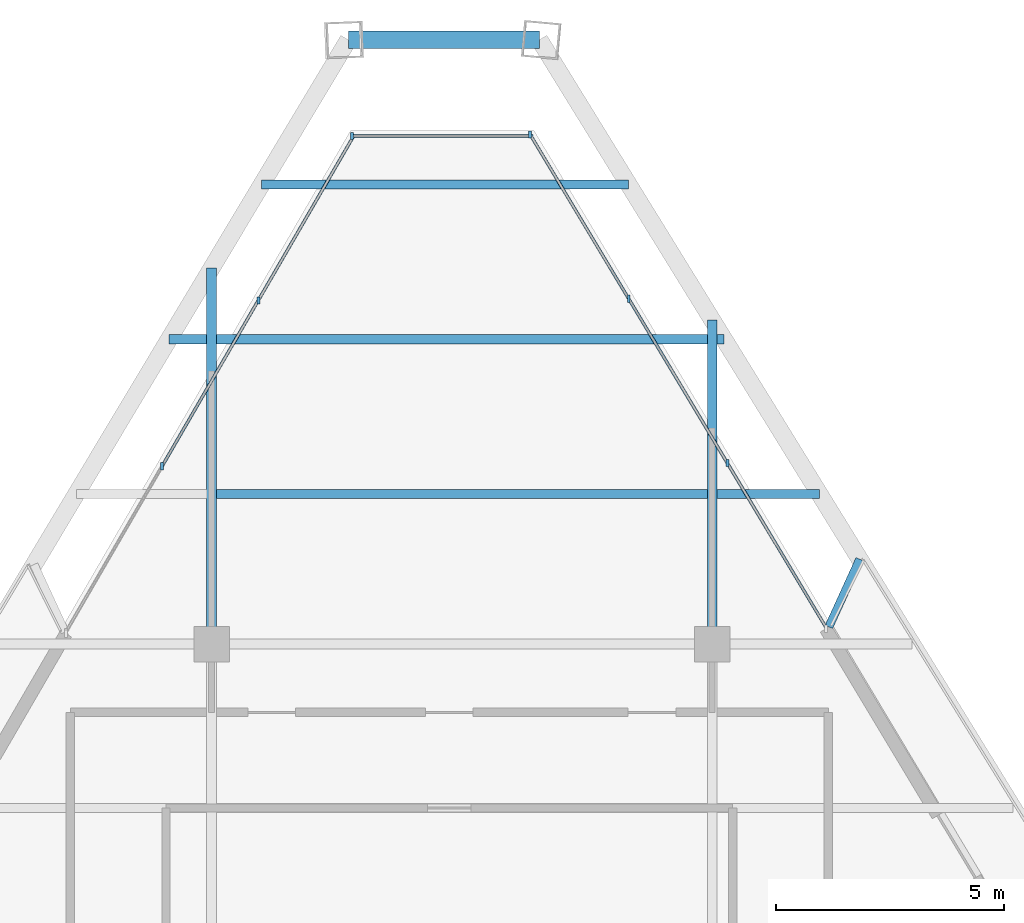
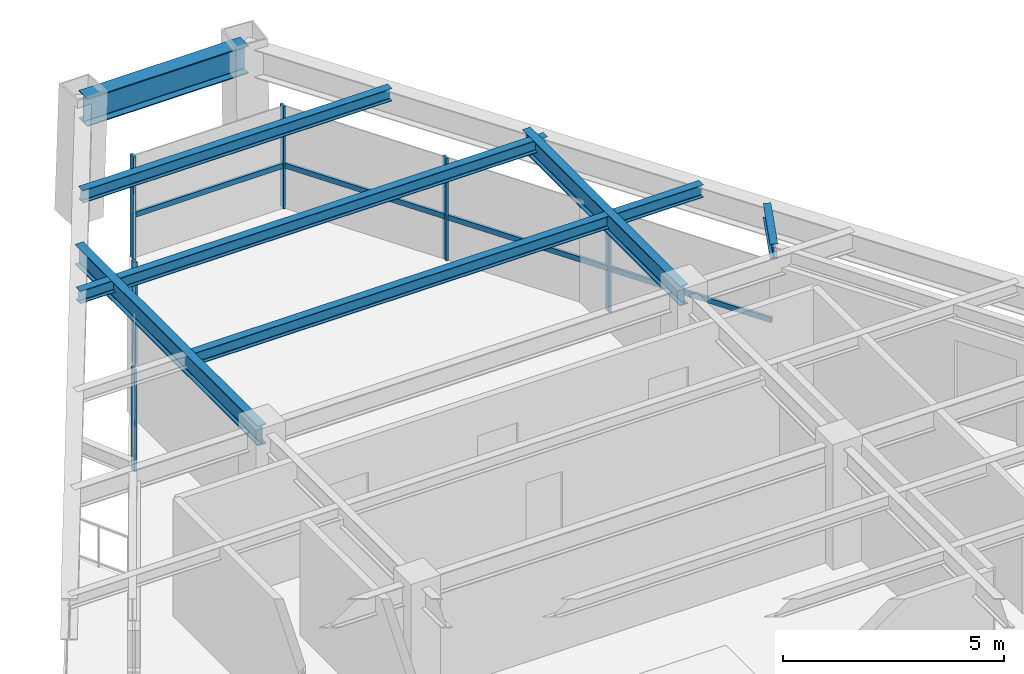
# One storey, part 7 of 13: 12 members, 8 beams, 3 elements without a shape of their own.
"""IFC4 building model written with IfcOpenShell, lengths in metres."""

from ifc_helpers import new_model, si_unit, direction, frame, origin, origin_2d, place, context, subcontext, project, spatial, rectangle, i_section, extrude, source, transform, mapped, material, material_profile, profile_set, type_object, element, aggregate, save


model = new_model("IFC4")

# Units and contexts
model_context = context("Model", 3, precision=1e-05, world=origin(), true_north=direction((0.0, 1.0)))
body_context = subcontext(model_context, "Body", "Model", "MODEL_VIEW")
ifc_project = project(units=[si_unit("LENGTHUNIT", "METRE"), si_unit("AREAUNIT", "SQUARE_METRE"), si_unit("VOLUMEUNIT", "CUBIC_METRE"), si_unit("PLANEANGLEUNIT", "RADIAN"), si_unit("MASSUNIT", "GRAM", prefix="KILO")], contexts=[model_context])

# Site, building, storey
site_placement = place(None, origin())
site = spatial("IfcSite", under=ifc_project, at=site_placement, CompositionType="ELEMENT")
building_placement = place(site_placement, origin())
building = spatial("IfcBuilding", under=site, at=building_placement, Name="Varnakhor Terracotta Tower", CompositionType="ELEMENT")
storey_placement = place(building_placement, frame((0.0, 0.0, 266.10009765625)))
storey = spatial("IfcBuildingStorey", under=building, at=storey_placement, Name="L69", CompositionType="ELEMENT", Elevation=266.10009765625)

# Beams
ifc_material_1 = material(Name="Steel S355", Category="steel")
ifc_material_profile_1 = material_profile(ifc_material_1, i_section(OverallWidth=0.202880859375, OverallDepth=0.346923828125, WebThickness=0.0078125, FlangeThickness=0.013427734375, FilletRadius=0.01806640625, at=origin_2d()), Name="W14X43")
ifc_profile_set_1 = profile_set([ifc_material_profile_1], Name="Steel S355")
beam_type_1 = type_object("IfcBeamType", Name="JST-W14X43", PredefinedType="JOIST", material=ifc_profile_set_1)
shared_shape_1 = source(origin(), body_context, "Body", "SweptSolid", [
    extrude(i_section(OverallWidth=0.202880859375, OverallDepth=0.346923828125, WebThickness=0.0078125, FlangeThickness=0.013427734375, FilletRadius=0.01806640625, at=origin_2d()), origin(), (0.0, 0.0, 1.0), 10.7939453125),
])
beam_1_placement = place(storey_placement, frame((-5.39697265625, 34.800048828125, 3.06640625), z_axis=(1.0, 0.0, 0.0), x_axis=(0.0, 1.0, 0.0)))
element("IfcBeam", 1, at=beam_1_placement, inside=storey, type_object=beam_type_1, Name="L69 Composite Floor Joist 7-2", PredefinedType="JOIST", context=body_context, shape_type="MappedRepresentation", body=[
    mapped(shared_shape_1, transform((0.0, 0.0, 0.0), scale=1.0)),
])
ifc_material_profile_2 = material_profile(ifc_material_1, i_section(OverallWidth=0.381103515625, OverallDepth=0.77294921875, WebThickness=0.01708984375, FlangeThickness=0.027099609375, FilletRadius=0.01806640625, at=origin_2d()), Name="W30X173")
ifc_profile_set_2 = profile_set([ifc_material_profile_2], Name="Steel S355")
beam_type_2 = type_object("IfcBeamType", Name="BM-W30X173", PredefinedType="BEAM", material=ifc_profile_set_2)
shared_shape_2 = source(origin(), body_context, "Body", "SweptSolid", [
    extrude(i_section(OverallWidth=0.381103515625, OverallDepth=0.77294921875, WebThickness=0.01708984375, FlangeThickness=0.027099609375, FilletRadius=0.01806640625, at=origin_2d()), origin(), (0.0, 0.0, 1.0), 4.197998046875),
])
beam_2_placement = place(storey_placement, frame((1.70361328125, 44.776611328125, 2.853515625), z_axis=(-1.0, 0.0, 0.0), x_axis=(0.0, -1.0, 0.0)))
element("IfcBeam", 2, at=beam_2_placement, inside=storey, type_object=beam_type_2, Name="L69 Perimeter Spandrel 5", PredefinedType="BEAM", context=body_context, shape_type="MappedRepresentation", body=[
    mapped(shared_shape_2, transform((0.0, 0.0, 0.0), scale=1.0)),
])
ifc_material_profile_3 = material_profile(ifc_material_1, i_section(OverallWidth=0.214111328125, OverallDepth=0.549072265625, WebThickness=0.014892578125, FlangeThickness=0.02392578125, FilletRadius=0.01806640625, at=origin_2d()), Name="W21X93")
ifc_profile_set_3 = profile_set([ifc_material_profile_3], Name="Steel S355")
beam_type_3 = type_object("IfcBeamType", Name="BM-W21X93", PredefinedType="BEAM", material=ifc_profile_set_3)
shared_shape_3 = source(origin(), body_context, "Body", "SweptSolid", [
    extrude(i_section(OverallWidth=0.214111328125, OverallDepth=0.549072265625, WebThickness=0.014892578125, FlangeThickness=0.02392578125, FilletRadius=0.01806640625, at=origin_2d()), origin(), (0.0, 0.0, 1.0), 8.259033203125),
])
beam_3_placement = place(storey_placement, frame((-5.5, 31.5, 2.96533203125), z_axis=(0.0, 1.0, 0.0), x_axis=(-1.0, 0.0, 0.0)))
element("IfcBeam", 3, at=beam_3_placement, inside=storey, type_object=beam_type_3, Name="L69 Primary Girder NS3-W", PredefinedType="BEAM", context=body_context, shape_type="MappedRepresentation", body=[
    mapped(shared_shape_3, transform((0.0, 0.0, 0.0), scale=1.0)),
])
shared_shape_4 = source(origin(), body_context, "Body", "SweptSolid", [
    extrude(i_section(OverallWidth=0.214111328125, OverallDepth=0.549072265625, WebThickness=0.014892578125, FlangeThickness=0.02392578125, FilletRadius=0.01806640625, at=origin_2d()), origin(), (0.0, 0.0, 1.0), 7.12060546875),
])
beam_4_placement = place(storey_placement, frame((5.5, 31.5, 2.96533203125), z_axis=(0.0, 1.0, 0.0), x_axis=(-1.0, 0.0, 0.0)))
element("IfcBeam", 4, at=beam_4_placement, inside=storey, type_object=beam_type_3, Name="L69 Primary Girder NS3-E", PredefinedType="BEAM", context=body_context, shape_type="MappedRepresentation", body=[
    mapped(shared_shape_4, transform((0.0, 0.0, 0.0), scale=1.0)),
])
shared_shape_5 = source(origin(), body_context, "Body", "SweptSolid", [
    extrude(i_section(OverallWidth=0.202880859375, OverallDepth=0.346923828125, WebThickness=0.0078125, FlangeThickness=0.013427734375, FilletRadius=0.01806640625, at=origin_2d()), origin(), (0.0, 0.0, 1.0), 2.2529296875),
])
beam_5_placement = place(storey_placement, frame((5.60302734375, 34.800048828125, 3.06640625), z_axis=(1.0, 0.0, 0.0), x_axis=(0.0, 1.0, 0.0)))
element("IfcBeam", 5, at=beam_5_placement, inside=storey, type_object=beam_type_1, Name="L69 Composite Floor Joist 7-3", PredefinedType="JOIST", context=body_context, shape_type="MappedRepresentation", body=[
    mapped(shared_shape_5, transform((0.0, 0.0, 0.0), scale=1.0)),
])
shared_shape_6 = source(origin(), body_context, "Body", "SweptSolid", [
    extrude(i_section(OverallWidth=0.202880859375, OverallDepth=0.346923828125, WebThickness=0.0078125, FlangeThickness=0.013427734375, FilletRadius=0.01806640625, at=origin_2d()), origin(), (0.0, 0.0, 1.0), 12.193115234375),
])
beam_6_placement = place(storey_placement, frame((-6.433837890625, 38.199951171875, 3.06640625), z_axis=(1.0, 0.0, 0.0), x_axis=(0.0, 1.0, 0.0)))
element("IfcBeam", 6, at=beam_6_placement, inside=storey, type_object=beam_type_1, Name="L69 Composite Floor Joist 8-1", PredefinedType="JOIST", context=body_context, shape_type="MappedRepresentation", body=[
    mapped(shared_shape_6, transform((0.0, 0.0, 0.0), scale=1.0)),
])
shared_shape_7 = source(origin(), body_context, "Body", "SweptSolid", [
    extrude(i_section(OverallWidth=0.202880859375, OverallDepth=0.346923828125, WebThickness=0.0078125, FlangeThickness=0.013427734375, FilletRadius=0.01806640625, at=origin_2d()), origin(), (0.0, 0.0, 1.0), 8.059814453125),
])
beam_7_placement = place(storey_placement, frame((-4.397216796875, 41.60009765625, 3.06640625), z_axis=(1.0, 0.0, 0.0), x_axis=(0.0, 1.0, 0.0)))
element("IfcBeam", 7, at=beam_7_placement, inside=storey, type_object=beam_type_1, Name="L69 Composite Floor Joist 9-1", PredefinedType="JOIST", context=body_context, shape_type="MappedRepresentation", body=[
    mapped(shared_shape_7, transform((0.0, 0.0, 0.0), scale=1.0)),
])

# Curtain wall, members
ifc_material_2 = material(Name="Anodised Aluminium Curtain Wall System", Category="aluminium")
curtain_wall_type = type_object("IfcCurtainWallType", Name="CW-SYS-HOTEL-LOGGIA", PredefinedType="NOTDEFINED", material=ifc_material_2)
curtain_wall_1_placement = place(storey_placement, origin())
curtain_wall_1 = element("IfcCurtainWall", 8, at=curtain_wall_1_placement, inside=storey, type_object=curtain_wall_type, Name="L69 W Facet Curtain Wall 2", PredefinedType="NOTDEFINED")
ifc_material_3 = material(Name="Anodised Aluminium 6063-T6", Category="aluminium")
ifc_material_profile_4 = material_profile(ifc_material_3, rectangle(XDim=0.06494140625, YDim=0.159912109375, at=origin_2d()), Name="ALU MULLION 65x160")
ifc_profile_set_4 = profile_set([ifc_material_profile_4], Name="Anodised Aluminium 6063-T6")
member_type_1 = type_object("IfcMemberType", Name="CWM-04", PredefinedType="MULLION", material=ifc_profile_set_4)
shared_shape_8 = source(origin(), body_context, "Body", "SweptSolid", [
    extrude(rectangle(XDim=0.06494140625, YDim=0.159912109375, at=origin_2d()), origin(), (0.0, 0.0, 1.0), 2.81982421875),
])
member_1_placement = place(storey_placement, frame((-6.586669921875, 35.406982421875, 0.0), z_axis=(0.0, 0.0, 1.0), x_axis=(1.0, 0.0, 0.0)))
member_1 = element("IfcMember", 9, at=member_1_placement, type_object=member_type_1, Name="L69 W Facet Curtain Wall 2 Mullion 2", PredefinedType="MULLION", context=body_context, shape_type="MappedRepresentation", body=[
    mapped(shared_shape_8, transform((0.0, 0.0, 0.0), scale=1.0)),
])
member_2_placement = place(storey_placement, frame((-4.472412109375, 39.05078125, 0.0), z_axis=(0.0, 0.0, 1.0), x_axis=(1.0, 0.0, 0.0)))
member_2 = element("IfcMember", 10, at=member_2_placement, type_object=member_type_1, Name="L69 W Facet Curtain Wall 2 Mullion 3", PredefinedType="MULLION", context=body_context, shape_type="MappedRepresentation", body=[
    mapped(shared_shape_8, transform((0.0, 0.0, 0.0), scale=1.0)),
])

# Curtain wall, member
curtain_wall_2_placement = place(storey_placement, origin())
curtain_wall_2 = element("IfcCurtainWall", 11, at=curtain_wall_2_placement, inside=storey, type_object=curtain_wall_type, Name="L69 Facet Curtain Wall 2", PredefinedType="NOTDEFINED")
member_3_placement = place(storey_placement, frame((-2.4169921875, 42.6611328125, 0.0), z_axis=(0.0, 0.0, 1.0), x_axis=(1.0, 0.0, 0.0)))
member_3 = element("IfcMember", 12, at=member_3_placement, type_object=member_type_1, Name="L69 Facet Curtain Wall 2 Mullion 1", PredefinedType="MULLION", context=body_context, shape_type="MappedRepresentation", body=[
    mapped(shared_shape_8, transform((0.0, 0.0, 0.0), scale=1.0)),
])

# Curtain wall, members
curtain_wall_3_placement = place(storey_placement, origin())
curtain_wall_3 = element("IfcCurtainWall", 13, at=curtain_wall_3_placement, inside=storey, type_object=curtain_wall_type, Name="L69 E Facet Curtain Wall 1", PredefinedType="NOTDEFINED")
member_4_placement = place(storey_placement, frame((1.501220703125, 42.693603515625, 0.0), z_axis=(0.0, 0.0, 1.0), x_axis=(1.0, 0.0, 0.0)))
member_4 = element("IfcMember", 14, at=member_4_placement, type_object=member_type_1, Name="L69 E Facet Curtain Wall 1 Mullion 1", PredefinedType="MULLION", context=body_context, shape_type="MappedRepresentation", body=[
    mapped(shared_shape_8, transform((0.0, 0.0, 0.0), scale=1.0)),
])
member_5_placement = place(storey_placement, frame((3.66650390625, 39.08642578125, 0.0), z_axis=(0.0, 0.0, 1.0), x_axis=(1.0, 0.0, 0.0)))
member_5 = element("IfcMember", 15, at=member_5_placement, type_object=member_type_1, Name="L69 E Facet Curtain Wall 1 Mullion 2", PredefinedType="MULLION", context=body_context, shape_type="MappedRepresentation", body=[
    mapped(shared_shape_8, transform((0.0, 0.0, 0.0), scale=1.0)),
])
member_6_placement = place(storey_placement, frame((5.83154296875, 35.479248046875, 0.0), z_axis=(0.0, 0.0, 1.0), x_axis=(1.0, 0.0, 0.0)))
member_6 = element("IfcMember", 16, at=member_6_placement, type_object=member_type_1, Name="L69 E Facet Curtain Wall 1 Mullion 3", PredefinedType="MULLION", context=body_context, shape_type="MappedRepresentation", body=[
    mapped(shared_shape_8, transform((0.0, 0.0, 0.0), scale=1.0)),
])

# Member
ifc_material_profile_5 = material_profile(ifc_material_3, rectangle(XDim=0.06494140625, YDim=0.14501953125, at=origin_2d()), Name="ALU TRANSOM 65x145")
ifc_profile_set_5 = profile_set([ifc_material_profile_5], Name="Anodised Aluminium 6063-T6")
member_type_2 = type_object("IfcMemberType", Name="CWT-04", PredefinedType="USERDEFINED", material=ifc_profile_set_5)
shared_shape_9 = source(origin(), body_context, "Body", "SweptSolid", [
    extrude(rectangle(XDim=0.06494140625, YDim=0.14501953125, at=origin_2d()), origin(), (0.0, 0.0, 1.0), 4.213134765625),
])
member_7_placement = place(storey_placement, frame((-4.472412109375, 39.05078125, 1.184326171875), z_axis=(0.501776193257, 0.864997486632, 0.0), x_axis=(-0.864997486632, 0.501776193257, 0.0)))
member_7 = element("IfcMember", 17, at=member_7_placement, type_object=member_type_2, Name="L69 W Facet Curtain Wall 2 Transom 3", ObjectType="TRANSOM", PredefinedType="USERDEFINED", context=body_context, shape_type="MappedRepresentation", body=[
    mapped(shared_shape_9, transform((0.0, 0.0, 0.0), scale=1.0)),
])

shared_shape_10 = source(origin(), body_context, "Body", "SweptSolid", [
    extrude(rectangle(XDim=0.06494140625, YDim=0.14501953125, at=origin_2d()), origin(), (0.0, 0.0, 1.0), 4.212646484375),
])
member_8_placement = place(storey_placement, frame((-6.586669921875, 35.406982421875, 1.184326171875), z_axis=(0.501869858642, 0.864943145523, 0.0), x_axis=(-0.864943145523, 0.501869858642, 0.0)))
member_8 = element("IfcMember", 18, at=member_8_placement, type_object=member_type_2, Name="L69 W Facet Curtain Wall 2 Transom 2", ObjectType="TRANSOM", PredefinedType="USERDEFINED", context=body_context, shape_type="MappedRepresentation", body=[
    mapped(shared_shape_10, transform((0.0, 0.0, 0.0), scale=1.0)),
])

aggregate(curtain_wall_1, [member_1, member_8, member_2, member_7])

shared_shape_11 = source(origin(), body_context, "Body", "SweptSolid", [
    extrude(rectangle(XDim=0.06494140625, YDim=0.14501953125, at=origin_2d()), origin(), (0.0, 0.0, 1.0), 3.9755859375),
])
member_9_placement = place(storey_placement, frame((-2.4169921875, 42.6611328125, 1.184326171875), z_axis=(1.0, 0.0, 0.0), x_axis=(0.0, 1.0, 0.0)))
member_9 = element("IfcMember", 19, at=member_9_placement, type_object=member_type_2, Name="L69 Facet Curtain Wall 2 Transom 1", ObjectType="TRANSOM", PredefinedType="USERDEFINED", context=body_context, shape_type="MappedRepresentation", body=[
    mapped(shared_shape_11, transform((0.0, 0.0, 0.0), scale=1.0)),
])

aggregate(curtain_wall_2, [member_3, member_9])

shared_shape_12 = source(origin(), body_context, "Body", "SweptSolid", [
    extrude(rectangle(XDim=0.06494140625, YDim=0.14501953125, at=origin_2d()), origin(), (0.0, 0.0, 1.0), 4.207275390625),
])
member_10_placement = place(storey_placement, frame((1.501220703125, 42.693603515625, 1.184326171875), z_axis=(0.51466642116, -0.857390503173, 0.0), x_axis=(0.857390503173, 0.51466642116, 0.0)))
member_10 = element("IfcMember", 20, at=member_10_placement, type_object=member_type_2, Name="L69 E Facet Curtain Wall 1 Transom 1", ObjectType="TRANSOM", PredefinedType="USERDEFINED", context=body_context, shape_type="MappedRepresentation", body=[
    mapped(shared_shape_12, transform((0.0, 0.0, 0.0), scale=1.0)),
])

member_11_placement = place(storey_placement, frame((5.83154296875, 35.479248046875, 1.184326171875), z_axis=(0.51466642116, -0.857390503173, 0.0), x_axis=(0.857390503173, 0.51466642116, 0.0)))
member_11 = element("IfcMember", 21, at=member_11_placement, type_object=member_type_2, Name="L69 E Facet Curtain Wall 1 Transom 3", ObjectType="TRANSOM", PredefinedType="USERDEFINED", context=body_context, shape_type="MappedRepresentation", body=[
    mapped(shared_shape_12, transform((0.0, 0.0, 0.0), scale=1.0)),
])

shared_shape_13 = source(origin(), body_context, "Body", "SweptSolid", [
    extrude(rectangle(XDim=0.06494140625, YDim=0.14501953125, at=origin_2d()), origin(), (0.0, 0.0, 1.0), 4.20703125),
])
member_12_placement = place(storey_placement, frame((3.66650390625, 39.08642578125, 1.184326171875), z_axis=(0.51462376046, -0.857416109698, 0.0), x_axis=(0.857416109698, 0.51462376046, 0.0)))
member_12 = element("IfcMember", 22, at=member_12_placement, type_object=member_type_2, Name="L69 E Facet Curtain Wall 1 Transom 2", ObjectType="TRANSOM", PredefinedType="USERDEFINED", context=body_context, shape_type="MappedRepresentation", body=[
    mapped(shared_shape_13, transform((0.0, 0.0, 0.0), scale=1.0)),
])

aggregate(curtain_wall_3, [member_4, member_10, member_5, member_12, member_6, member_11])

# Beam
ifc_material_profile_6 = material_profile(ifc_material_1, i_section(OverallWidth=0.179931640625, OverallDepth=0.39990234375, WebThickness=0.008544921875, FlangeThickness=0.013427734375, FilletRadius=0.01806640625, at=origin_2d()), Name="IPE400")
ifc_profile_set_6 = profile_set([ifc_material_profile_6], Name="Steel S355")
beam_type_4 = type_object("IfcBeamType", Name="JST-IPE400", PredefinedType="JOIST", material=ifc_profile_set_6)
shared_shape_14 = source(origin(), body_context, "Body", "SweptSolid", [
    extrude(i_section(OverallWidth=0.179931640625, OverallDepth=0.39990234375, WebThickness=0.008544921875, FlangeThickness=0.013427734375, FilletRadius=0.01806640625, at=origin_2d()), origin(), (0.0, 0.0, 1.0), 1.634521484375),
])
beam_8_placement = place(storey_placement, frame((8.0625, 31.87841796875, 3.039794921875), z_axis=(0.414781750429, 0.909920930362, 0.0), x_axis=(-0.909920930362, 0.414781750429, 0.0)))
element("IfcBeam", 23, at=beam_8_placement, inside=storey, type_object=beam_type_4, Name="L70 E Loggia Tie Beam 1", PredefinedType="JOIST", context=body_context, shape_type="MappedRepresentation", body=[
    mapped(shared_shape_14, transform((0.0, 0.0, 0.0), scale=1.0)),
])

save(model, "model.ifc")
